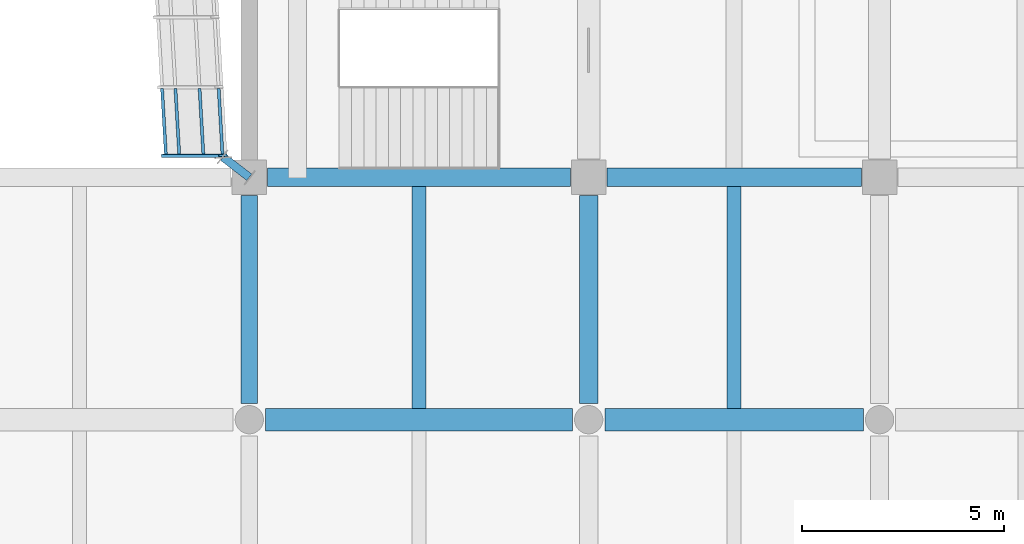
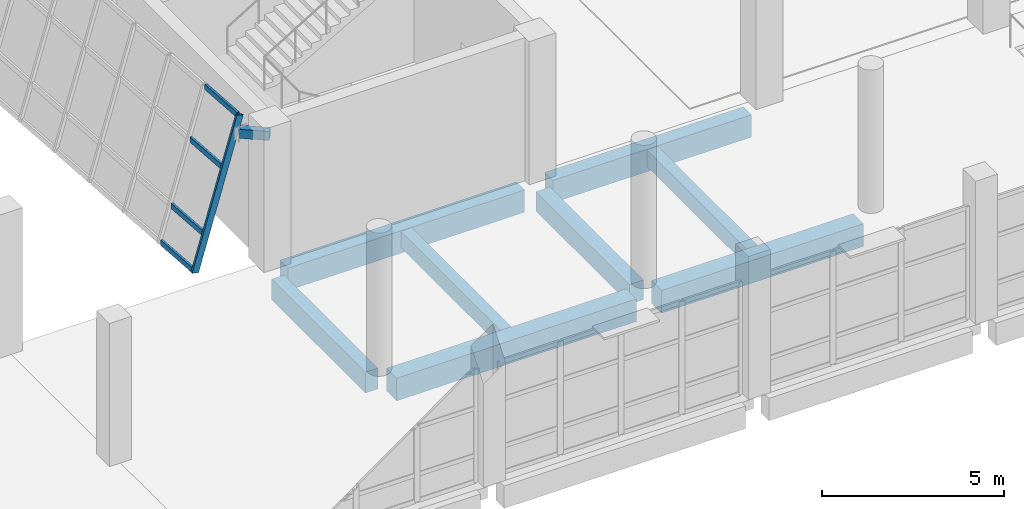
# One storey, part 20 of 91: 9 beams, 5 members, 1 element without a shape of its own.
"""IFC4 building model written with IfcOpenShell, lengths in metres."""

from ifc_helpers import new_model, si_unit, direction, frame, origin, origin_2d, place, context, subcontext, project, spatial, rectangle, hollow_rectangle, extrude, material, material_profile, profile_set, type_object, element, aggregate, save


model = new_model("IFC4")

# Units and contexts
model_context = context("Model", 3, precision=1e-05, world=origin(), true_north=direction((0.0, 1.0)))
body_context = subcontext(model_context, "Body", "Model", "MODEL_VIEW")
ifc_project = project(units=[si_unit("LENGTHUNIT", "METRE"), si_unit("AREAUNIT", "SQUARE_METRE"), si_unit("VOLUMEUNIT", "CUBIC_METRE"), si_unit("PLANEANGLEUNIT", "RADIAN"), si_unit("MASSUNIT", "GRAM", prefix="KILO")], contexts=[model_context])

# Site, building, storey
site_placement = place(None, origin())
site = spatial("IfcSite", under=ifc_project, at=site_placement, CompositionType="ELEMENT")
building_placement = place(site_placement, origin())
building = spatial("IfcBuilding", under=site, at=building_placement, Name="Pellamere Symphony Hall", CompositionType="ELEMENT")
storey_placement = place(building_placement, frame((0.0, 0.0, 5.39990234375)))
storey = spatial("IfcBuildingStorey", under=building, at=storey_placement, Name="L01", CompositionType="ELEMENT", Elevation=5.39990234375)

# Curtain wall, members
ifc_material_1 = material(Name="Thermally Broken Anodised Aluminium 6063-T6 Curtain Wall", Category="aluminium")
curtain_wall_type = type_object("IfcCurtainWallType", Name="Curtain Wall CW-01 (Tilted Faceted Crystal Low-Iron Curtain Wall)", PredefinedType="NOTDEFINED", material=ifc_material_1)
curtain_wall_placement = place(storey_placement, origin())
curtain_wall = element("IfcCurtainWall", 1, at=curtain_wall_placement, inside=storey, type_object=curtain_wall_type, Name="Crystal Faceted Curtain Wall CW-CR18 (L01)", PredefinedType="NOTDEFINED")
ifc_material_2 = material(Name="Anodised Architectural Aluminium 6063-T6", Category="aluminium")
ifc_material_profile_1 = material_profile(ifc_material_2, hollow_rectangle(XDim=0.074951171875, YDim=0.219970703125, WallThickness=0.0048828125, at=origin_2d()), Name="ALU-M75X220X5")
ifc_profile_set_1 = profile_set([ifc_material_profile_1], Name="Anodised Architectural Aluminium 6063-T6")
member_type_1 = type_object("IfcMemberType", Name="Curtain Wall Mullion ML-01 ALU-M75X220X5", PredefinedType="MULLION", material=ifc_profile_set_1)
member_1_placement = place(storey_placement, frame((48.325927734375, 30.537353515625, 0.0), z_axis=(0.284021911736, 0.0, 0.9588177896), x_axis=(-0.055224582463, 0.998339941676, 0.016358678005)))
member_1 = element("IfcMember", 2, at=member_1_placement, type_object=member_type_1, Name="CW1-053 crystal mullion 10", PredefinedType="MULLION", context=body_context, shape_type="SweptSolid", body=[
    extrude(hollow_rectangle(XDim=0.074951171875, YDim=0.219970703125, WallThickness=0.0048828125, at=origin_2d()), origin(), (0.0, 0.0, 1.0), 5.006103515625),
])
ifc_material_profile_2 = material_profile(ifc_material_2, hollow_rectangle(XDim=0.074951171875, YDim=0.179931640625, WallThickness=0.0048828125, at=origin_2d()), Name="ALU-T75X180X5")
ifc_profile_set_2 = profile_set([ifc_material_profile_2], Name="Anodised Architectural Aluminium 6063-T6")
member_type_2 = type_object("IfcMemberType", Name="Curtain Wall Transom TR-01 ALU-T75X180X5", PredefinedType="USERDEFINED", material=ifc_profile_set_2)
member_2_placement = place(storey_placement, frame((48.240966796875, 32.19580078125, 0.0361328125), z_axis=(0.057593652861, -0.998340107954, 0.0), x_axis=(0.998340107954, 0.057593652861, 0.0)))
member_2 = element("IfcMember", 3, at=member_2_placement, type_object=member_type_2, Name="CW1-053 crystal transom 9.1", ObjectType="TRANSOM", PredefinedType="USERDEFINED", context=body_context, shape_type="SweptSolid", body=[
    extrude(hollow_rectangle(XDim=0.074951171875, YDim=0.179931640625, WallThickness=0.0048828125, at=origin_2d()), origin(), (0.0, 0.0, 1.0), 1.62353515625),
])
member_3_placement = place(storey_placement, frame((48.571533203125, 32.19580078125, 1.152099609375), z_axis=(0.057593652861, -0.998340107954, 0.0), x_axis=(0.998340107954, 0.057593652861, 0.0)))
member_3 = element("IfcMember", 4, at=member_3_placement, type_object=member_type_2, Name="CW1-053 crystal transom 9.2", ObjectType="TRANSOM", PredefinedType="USERDEFINED", context=body_context, shape_type="SweptSolid", body=[
    extrude(hollow_rectangle(XDim=0.074951171875, YDim=0.179931640625, WallThickness=0.0048828125, at=origin_2d()), origin(), (0.0, 0.0, 1.0), 1.62353515625),
])
member_4_placement = place(storey_placement, frame((49.168701171875, 32.19580078125, 3.168212890625), z_axis=(0.057593652861, -0.998340107954, 0.0), x_axis=(0.998340107954, 0.057593652861, 0.0)))
member_4 = element("IfcMember", 5, at=member_4_placement, type_object=member_type_2, Name="CW1-053 crystal transom 9.3", ObjectType="TRANSOM", PredefinedType="USERDEFINED", context=body_context, shape_type="SweptSolid", body=[
    extrude(hollow_rectangle(XDim=0.074951171875, YDim=0.179931640625, WallThickness=0.0048828125, at=origin_2d()), origin(), (0.0, 0.0, 1.0), 1.62353515625),
])
member_5_placement = place(storey_placement, frame((49.6416015625, 32.19580078125, 4.76416015625), z_axis=(0.057593652861, -0.998340107954, 0.0), x_axis=(0.998340107954, 0.057593652861, 0.0)))
member_5 = element("IfcMember", 6, at=member_5_placement, type_object=member_type_2, Name="CW1-053 crystal transom 9.4", ObjectType="TRANSOM", PredefinedType="USERDEFINED", context=body_context, shape_type="SweptSolid", body=[
    extrude(hollow_rectangle(XDim=0.074951171875, YDim=0.179931640625, WallThickness=0.0048828125, at=origin_2d()), origin(), (0.0, 0.0, 1.0), 1.62353515625),
])
aggregate(curtain_wall, [member_1, member_2, member_3, member_4, member_5])

# Beams
ifc_material_3 = material(Name="Concrete 40 MPa", Category="concrete")
ifc_material_profile_3 = material_profile(ifc_material_3, rectangle(XDim=0.449951171875, YDim=0.64990234375, at=origin_2d()), Name="RC 450x650")
ifc_profile_set_3 = profile_set([ifc_material_profile_3], Name="Concrete 40 MPa")
beam_type_1 = type_object("IfcBeamType", Name="RC CB-08 450x650", PredefinedType="BEAM", material=ifc_profile_set_3)
beam_1_placement = place(storey_placement, frame((58.800048828125, 24.39990234375, -0.60498046875), z_axis=(0.0, 1.0, 0.0), x_axis=(-1.0, 0.0, 0.0)))
element("IfcBeam", 7, at=beam_1_placement, inside=storey, type_object=beam_type_1, Name="Girder CB-08-Y0757 (L01)", PredefinedType="BEAM", context=body_context, shape_type="SweptSolid", body=[
    extrude(rectangle(XDim=0.449951171875, YDim=0.64990234375, at=origin_2d()), origin(), (0.0, 0.0, 1.0), 5.150146484375),
])
ifc_material_4 = material(Name="Concrete 35 MPa", Category="concrete")
ifc_material_profile_4 = material_profile(ifc_material_4, rectangle(XDim=0.35009765625, YDim=0.550048828125, at=origin_2d()), Name="RC 350x550")
ifc_profile_set_4 = profile_set([ifc_material_profile_4], Name="Concrete 35 MPa")
beam_type_2 = type_object("IfcBeamType", Name="RC CB-10 350x550", PredefinedType="BEAM", material=ifc_profile_set_4)
for number, where, z_axis, x_axis, name in (
    (8, (54.60009765625, 24.280029296875, -0.56982421875), (0.0, 1.0, 0.0), (-1.0, 0.0, 0.0), "Secondary Floor Beam CB-10-M0603 (L01)"),
    (9, (62.39990234375, 24.280029296875, -0.56982421875), (0.0, 1.0, 0.0), (-1.0, 0.0, 0.0), "Secondary Floor Beam CB-10-M0703 (L01)"),
):
    element("IfcBeam", number, at=place(storey_placement, frame(where, z_axis=z_axis, x_axis=x_axis)), inside=storey, type_object=beam_type_2, Name=name, PredefinedType="BEAM", context=body_context, shape_type="SweptSolid", body=[
        extrude(rectangle(XDim=0.35009765625, YDim=0.550048828125, at=origin_2d()), origin(), (0.0, 0.0, 1.0), 5.494873046875),
    ])
ifc_material_profile_5 = material_profile(ifc_material_3, rectangle(XDim=0.449951171875, YDim=0.75, at=origin_2d()), Name="RC 450x750")
ifc_profile_set_5 = profile_set([ifc_material_profile_5], Name="Concrete 40 MPa")
beam_type_3 = type_object("IfcBeamType", Name="RC CB-12 450x750", PredefinedType="SPANDREL", material=ifc_profile_set_5)
beam_2_placement = place(storey_placement, frame((50.85009765625, 30.0, -0.65478515625), z_axis=(1.0, 0.0, 0.0), x_axis=(0.0, 1.0, 0.0)))
element("IfcBeam", 10, at=beam_2_placement, inside=storey, type_object=beam_type_3, Name="Girder CB-12-X0580 (L01)", PredefinedType="SPANDREL", context=body_context, shape_type="SweptSolid", body=[
    extrude(rectangle(XDim=0.449951171875, YDim=0.75, at=origin_2d()), origin(), (0.0, 0.0, 1.0), 7.5),
])
beam_3_placement = place(storey_placement, frame((59.25, 30.0, -0.65478515625), z_axis=(1.0, 0.0, 0.0), x_axis=(0.0, 1.0, 0.0)))
element("IfcBeam", 11, at=beam_3_placement, inside=storey, type_object=beam_type_3, Name="Girder CB-12-X0581 (L01)", PredefinedType="SPANDREL", context=body_context, shape_type="SweptSolid", body=[
    extrude(rectangle(XDim=0.449951171875, YDim=0.75, at=origin_2d()), origin(), (0.0, 0.0, 1.0), 6.300048828125),
])
ifc_material_profile_6 = material_profile(ifc_material_3, rectangle(XDim=0.39990234375, YDim=0.699951171875, at=origin_2d()), Name="RC 400x700")
ifc_profile_set_6 = profile_set([ifc_material_profile_6], Name="Concrete 40 MPa")
beam_type_4 = type_object("IfcBeamType", Name="RC CB-13 400x700", PredefinedType="SPANDREL", material=ifc_profile_set_6)
beam_4_placement = place(storey_placement, frame((50.39990234375, 24.39990234375, -0.6298828125), z_axis=(0.0, 1.0, 0.0), x_axis=(-1.0, 0.0, 0.0)))
element("IfcBeam", 12, at=beam_4_placement, inside=storey, type_object=beam_type_4, Name="Girder CB-13-Y0748 (L01)", PredefinedType="SPANDREL", context=body_context, shape_type="SweptSolid", body=[
    extrude(rectangle(XDim=0.39990234375, YDim=0.699951171875, at=origin_2d()), origin(), (0.0, 0.0, 1.0), 5.150146484375),
])
ifc_material_profile_7 = material_profile(ifc_material_3, rectangle(XDim=0.56005859375, YDim=0.760009765625, at=origin_2d()), Name="RC 560x760")
ifc_profile_set_7 = profile_set([ifc_material_profile_7], Name="Concrete 40 MPa")
beam_type_5 = type_object("IfcBeamType", Name="RC CB-18 560x760", PredefinedType="BEAM", material=ifc_profile_set_7)
beam_5_placement = place(storey_placement, frame((50.800048828125, 24.0, -0.659912109375), z_axis=(1.0, 0.0, 0.0), x_axis=(0.0, 1.0, 0.0)))
element("IfcBeam", 13, at=beam_5_placement, inside=storey, type_object=beam_type_5, Name="Girder CB-18-X0565 (L01)", PredefinedType="BEAM", context=body_context, shape_type="SweptSolid", body=[
    extrude(rectangle(XDim=0.56005859375, YDim=0.760009765625, at=origin_2d()), origin(), (0.0, 0.0, 1.0), 7.599853515625),
])
beam_6_placement = place(storey_placement, frame((59.199951171875, 24.0, -0.659912109375), z_axis=(1.0, 0.0, 0.0), x_axis=(0.0, 1.0, 0.0)))
element("IfcBeam", 14, at=beam_6_placement, inside=storey, type_object=beam_type_5, Name="Girder CB-18-X0566 (L01)", PredefinedType="BEAM", context=body_context, shape_type="SweptSolid", body=[
    extrude(rectangle(XDim=0.56005859375, YDim=0.760009765625, at=origin_2d()), origin(), (0.0, 0.0, 1.0), 6.400146484375),
])
ifc_material_5 = material(Name="Steel CSA G40.21 350W", Category="steel")
ifc_material_profile_8 = material_profile(ifc_material_5, hollow_rectangle(XDim=0.203125, YDim=0.3046875, WallThickness=0.0126953125, at=origin_2d()), Name="HSS305X203X13")
ifc_profile_set_8 = profile_set([ifc_material_profile_8], Name="Steel CSA G40.21 350W")
beam_type_6 = type_object("IfcBeamType", Name="Steel Spandrel SB-26 HSS305X203X13", PredefinedType="SPANDREL", material=ifc_profile_set_8)
beam_7_placement = place(storey_placement, frame((50.39990234375, 30.0, 4.239990234375), z_axis=(-0.792579713642, 0.609768314627, 0.0), x_axis=(-0.609768314627, -0.792579713642, 0.0)))
element("IfcBeam", 15, at=beam_7_placement, inside=storey, type_object=beam_type_6, Name="Crystal Ring Outrigger Bracket 119 (L01)", PredefinedType="SPANDREL", context=body_context, shape_type="SweptSolid", body=[
    extrude(hollow_rectangle(XDim=0.203125, YDim=0.3046875, WallThickness=0.0126953125, at=origin_2d()), origin(), (0.0, 0.0, 1.0), 0.820068359375),
])

save(model, "model.ifc")
